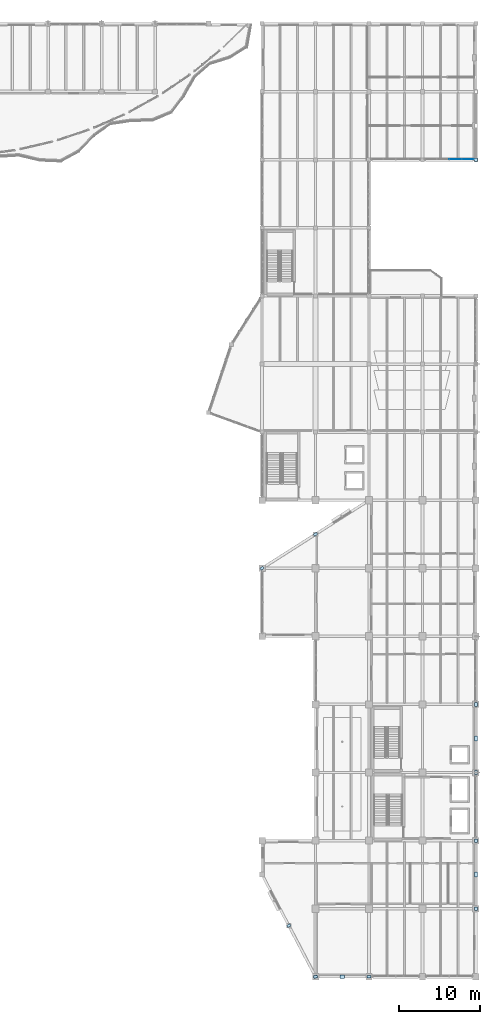
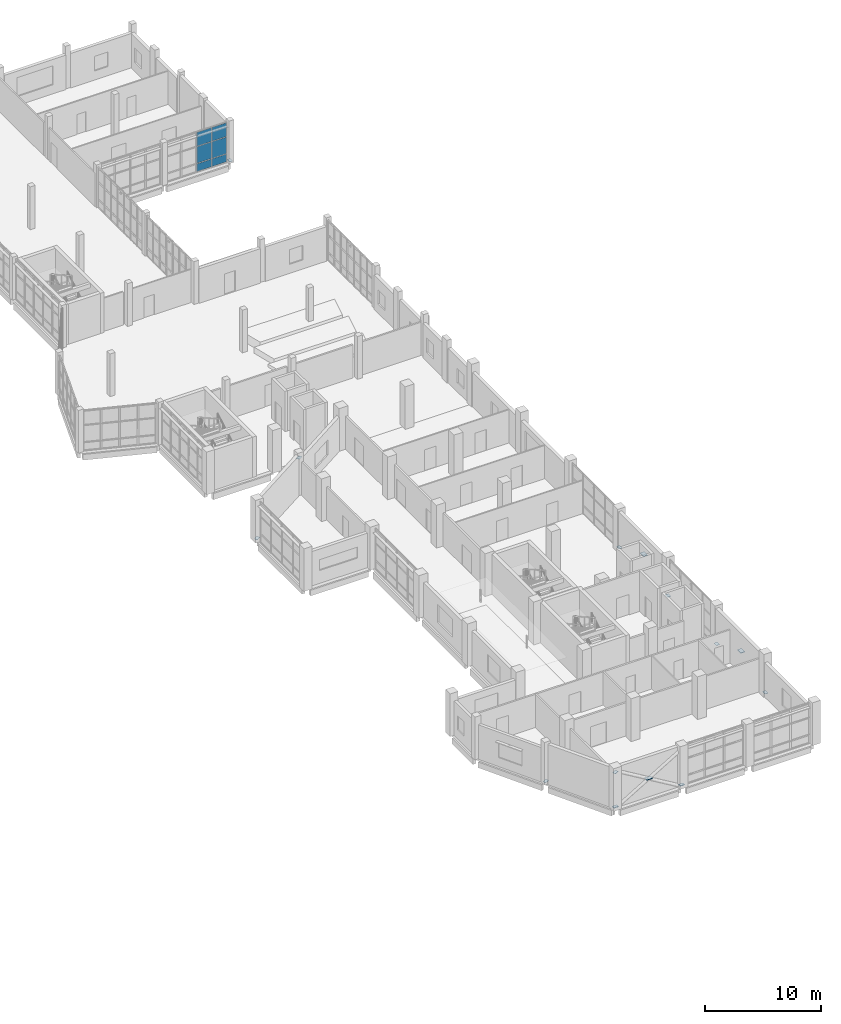
# One storey, part 43 of 76: 20 plates, 1 element without a shape of its own.
"""IFC4 building model written with IfcOpenShell, lengths in metres."""

import ifcopenshell
import ifcopenshell.guid

model = None  # the IFC model being written
_history = None  # IfcOwnerHistory: only IFC2X3 demands one
_inside = {}  # id of a spatial element -> (the spatial element, [elements in it])
_under = {}  # id of a project, library or spatial element -> (it, [spatial elements below it])
_declared = {}  # id of a project -> (the project, [libraries it declares])
_typed = {}  # id of a type object -> (the type object, [elements of that type])
_made_of = {}  # id of a material, layer set ... -> (it, [elements and type objects made of it])


def new_model(schema):
    """Start an empty IFC model of exactly this schema.

    Asked for "IFC4X3", IfcOpenShell would pick the latest addendum, in which some entities
    have other attributes; the version numbers below select the first issue.
    IFC2X3 requires an IfcOwnerHistory on every rooted entity: one is made here for all.
    """
    global model, _history
    if schema == "IFC4X3":
        model = ifcopenshell.file(schema_version=(4, 3, 0, 0))
    else:
        model = ifcopenshell.file(schema=schema)
    _inside.clear()
    _under.clear()
    _declared.clear()
    _typed.clear()
    _made_of.clear()
    _history = None
    if model.schema == "IFC2X3":
        org = make("IfcOrganization", Name="unknown")
        user = make(
            "IfcPersonAndOrganization",
            ThePerson=make("IfcPerson", FamilyName="unknown"),
            TheOrganization=org,
        )
        app = make(
            "IfcApplication",
            ApplicationDeveloper=org,
            Version="unknown",
            ApplicationFullName="unknown",
            ApplicationIdentifier="unknown",
        )
        _history = make(
            "IfcOwnerHistory",
            OwningUser=user,
            OwningApplication=app,
            ChangeAction="ADDED",
            CreationDate=0,
        )
    return model


def make(cls, **values):
    """One entity of the class cls with the attributes given. An attribute that is None is left unset."""
    return model.create_entity(
        cls, **{name: value for name, value in values.items() if value is not None}
    )


def rooted(cls, **values):
    """An entity with a GlobalId (a new one), such as an element, a storey or a relation."""
    return make(cls, GlobalId=ifcopenshell.guid.new(), OwnerHistory=_history, **values)


def si_unit(unit_type, name, prefix=None):
    """IfcSIUnit, for example si_unit("LENGTHUNIT", "METRE", prefix="MILLI")."""
    return make("IfcSIUnit", UnitType=unit_type, Prefix=prefix, Name=name)


def assignment(units):
    """IfcUnitAssignment: the units of a project."""
    return None if units is None else make("IfcUnitAssignment", Units=units)


def point(xyz):
    """IfcCartesianPoint."""
    return None if xyz is None else make("IfcCartesianPoint", Coordinates=xyz)


def direction(xyz):
    """IfcDirection."""
    return None if xyz is None else make("IfcDirection", DirectionRatios=xyz)


def frame(location, z_axis=None, x_axis=None):
    """IfcAxis2Placement3D, a coordinate frame: its origin and axes. An axis left out is left unset."""
    return make(
        "IfcAxis2Placement3D",
        Location=point(location),
        Axis=direction(z_axis),
        RefDirection=direction(x_axis),
    )


def frame_2d(location, x_axis=None):
    """IfcAxis2Placement2D, a coordinate frame in the plane: its origin and x axis."""
    return make(
        "IfcAxis2Placement2D", Location=point(location), RefDirection=direction(x_axis)
    )


def origin():
    """The frame at (0, 0, 0) with its axes left unset."""
    return frame((0.0, 0.0, 0.0))


def origin_2d():
    """The frame at (0, 0) in the plane with its x axis left unset."""
    return frame_2d((0.0, 0.0))


def place(relative_to, where):
    """IfcLocalPlacement: puts the frame where relative to a parent placement (None: the world)."""
    return make(
        "IfcLocalPlacement", PlacementRelTo=relative_to, RelativePlacement=where
    )


def context(
    kind, dimensions, precision=None, world=None, true_north=None, identifier=None
):
    """IfcGeometricRepresentationContext, for example the 3D "Model" context."""
    return make(
        "IfcGeometricRepresentationContext",
        ContextIdentifier=identifier,
        ContextType=kind,
        CoordinateSpaceDimension=dimensions,
        Precision=precision,
        WorldCoordinateSystem=world,
        TrueNorth=true_north,
    )


def subcontext(parent, identifier, kind, view, scale=None):
    """IfcGeometricRepresentationSubContext, for example "Body" below "Model"."""
    return make(
        "IfcGeometricRepresentationSubContext",
        ContextIdentifier=identifier,
        ContextType=kind,
        ParentContext=parent,
        TargetScale=scale,
        TargetView=view,
    )


def project(units=None, contexts=None):
    """IfcProject with its units and contexts."""
    return rooted(
        "IfcProject",
        Name="project",
        RepresentationContexts=contexts,
        UnitsInContext=assignment(units),
    )


def spatial(cls, under=None, at=None, **own):
    """A site, building, storey or space (cls), placed at a placement, below another one or the project."""
    s = rooted(cls, ObjectPlacement=at, **own)
    if under is not None:
        _under.setdefault(under.id(), (under, []))[1].append(s)
    return s


def profile(cls, at=None, kind="AREA", **sizes):
    """A parametric profile (cls). Its sizes go by their IFC names, for example OverallWidth=200.0."""
    return make(cls, ProfileType=kind, Position=at, **sizes)


def rectangle(**sizes):
    """IfcRectangleProfileDef."""
    return profile("IfcRectangleProfileDef", **sizes)


def extrude(swept, where, along, depth):
    """IfcExtrudedAreaSolid: the profile swept, set in the frame where, extruded along a direction by depth."""
    return make(
        "IfcExtrudedAreaSolid",
        SweptArea=swept,
        Position=where,
        ExtrudedDirection=direction(along),
        Depth=depth,
    )


def shape(context_of_items, identifier, shape_type, items):
    """IfcShapeRepresentation: the items that make up one representation, for example the "Body"."""
    return make(
        "IfcShapeRepresentation",
        ContextOfItems=context_of_items,
        RepresentationIdentifier=identifier,
        RepresentationType=shape_type,
        Items=items,
    )


def material(Name=None, Category=None):
    """IfcMaterial."""
    return make("IfcMaterial", Name=Name, Category=Category)


def layer(
    of_material, thickness, ventilated=None, Name=None, Category=None, Priority=None
):
    """IfcMaterialLayer: one layer of a wall or slab, of a material (None: an air gap)."""
    return make(
        "IfcMaterialLayer",
        Material=of_material,
        LayerThickness=thickness,
        IsVentilated=ventilated,
        Name=Name,
        Category=Category,
        Priority=Priority,
    )


def layer_set(layers, Name=None):
    """IfcMaterialLayerSet."""
    return make("IfcMaterialLayerSet", MaterialLayers=layers, LayerSetName=Name)


def made_of(thing, what):
    """Note that an element or type object is made of a material, layer set ...; save() writes the relation."""
    if what is not None:
        _made_of.setdefault(what.id(), (what, []))[1].append(thing)
    return thing


def type_object(cls, material=None, **own):
    """A type object (cls), such as IfcWallType, which elements share."""
    return made_of(rooted(cls, **own), material)


def element(
    cls,
    number,
    at=None,
    inside=None,
    cuts=None,
    type_object=None,
    material=None,
    context=None,
    identifier="Body",
    shape_type=None,
    held_by="IfcProductDefinitionShape",
    body=None,
    shapes=None,
    **own,
):
    """One element of the class cls, such as IfcWall. Its Tag is "e" and its number.

    at: its placement. inside: the storey or other place that contains it. cuts: it is an
    opening in that element (IfcRelVoidsElement). A single representation is given by context,
    identifier, shape_type and body (its items); several are given by shapes. held_by: the class
    of the entity that holds the representations. save() writes the other relations.
    """
    e = rooted(cls, Tag="e%d" % number, ObjectPlacement=at, **own)
    if body is not None:
        shapes = [shape(context, identifier, shape_type, body)]
    if shapes is not None:
        e.Representation = make(held_by, Representations=shapes)
    if inside is not None:
        _inside.setdefault(inside.id(), (inside, []))[1].append(e)
    if cuts is not None:
        rooted(
            "IfcRelVoidsElement", RelatingBuildingElement=cuts, RelatedOpeningElement=e
        )
    if type_object is not None:
        _typed.setdefault(type_object.id(), (type_object, []))[1].append(e)
    return made_of(e, material)


def aggregate(whole, parts):
    """IfcRelAggregates: a whole, such as a stair, and the parts it consists of."""
    return rooted("IfcRelAggregates", RelatingObject=whole, RelatedObjects=parts)


def save(model, path):
    """Write the relations noted so far, then the file.

    IfcRelAggregates (storeys below a building ...), IfcRelContainedInSpatialStructure (elements
    in a storey), IfcRelDefinesByType, IfcRelAssociatesMaterial and IfcRelDeclares: one each for
    every whole, place, type object, material and project.
    """
    for whole, parts in _under.values():
        aggregate(whole, parts)
    for where, things in _inside.values():
        rooted(
            "IfcRelContainedInSpatialStructure",
            RelatedElements=things,
            RelatingStructure=where,
        )
    for kind, things in _typed.values():
        rooted("IfcRelDefinesByType", RelatedObjects=things, RelatingType=kind)
    for what, things in _made_of.values():
        rooted("IfcRelAssociatesMaterial", RelatedObjects=things, RelatingMaterial=what)
    for by, libraries in _declared.values():
        rooted("IfcRelDeclares", RelatingContext=by, RelatedDefinitions=libraries)
    model.write(path)


model = new_model("IFC4")

# Units and contexts
model_context = context("Model", 3, precision=1e-05, world=origin(), true_north=direction((0.0, 1.0)))
body_context = subcontext(model_context, "Body", "Model", "MODEL_VIEW")
ifc_project = project(units=[si_unit("LENGTHUNIT", "METRE"), si_unit("AREAUNIT", "SQUARE_METRE"), si_unit("VOLUMEUNIT", "CUBIC_METRE"), si_unit("PLANEANGLEUNIT", "RADIAN"), si_unit("MASSUNIT", "GRAM", prefix="KILO")], contexts=[model_context])

# Site, building, storey
site_placement = place(None, origin())
site = spatial("IfcSite", under=ifc_project, at=site_placement, CompositionType="ELEMENT")
building_placement = place(site_placement, origin())
building = spatial("IfcBuilding", under=site, at=building_placement, Name="Qaldarim Faculty of Natural and Applied Sciences", CompositionType="ELEMENT")
storey_placement = place(building_placement, frame((0.0, 0.0, 9.89990234375)))
storey = spatial("IfcBuildingStorey", under=building, at=storey_placement, Name="L02", CompositionType="ELEMENT", Elevation=9.89990234375)

# Plates
ifc_material_1 = material(Name="Structural steel S355", Category="steel")
ifc_layer_1 = layer(ifc_material_1, 0.02001953125)
ifc_layer_set_1 = layer_set([ifc_layer_1], Name="Structural steel S355")
plate_type_1 = type_object("IfcPlateType", Name="GussetPlate-S355-450x320x20", PredefinedType="SHEET", material=ifc_layer_set_1)
for number, where, z_axis, x_axis, name in (
    (1, (158.39990234375, 0.0, 0.14013671875), (0.0, 0.0, 1.0), (1.0, 0.0, 0.0), "South diagrid L02 base gusset BL"),
    (2, (165.0, 0.0, 0.14013671875), (0.0, 0.0, 1.0), (1.0, 0.0, 0.0), "South diagrid L02 base gusset BR"),
    (3, (178.199951171875, 8.39990234375, 0.14013671875), (0.0, 0.0, 1.0), (0.0, 1.0, 0.0), "East diagrid L02 base gusset BL"),
    (4, (178.199951171875, 16.800048828125, 0.14013671875), (0.0, 0.0, 1.0), (0.0, 1.0, 0.0), "East diagrid L02 base gusset BR"),
    (5, (178.199951171875, 25.199951171875, 0.14013671875), (0.0, 0.0, 1.0), (0.0, 1.0, 0.0), "Upper east diagrid L02 base gusset BL"),
    (6, (178.199951171875, 33.60009765625, 0.14013671875), (0.0, 0.0, 1.0), (0.0, 1.0, 0.0), "Upper east diagrid L02 base gusset BR"),
    (7, (178.199951171875, 100.800048828125, 0.14013671875), (0.0, 0.0, 1.0), (0.0, 1.0, 0.0), "Commons east diagrid L02 base gusset BL"),
    (8, (155.10009765625, 6.300048828125, 0.150146484375), (0.0, 0.0, 1.0), (0.882947592859, 0.469471562786, 0.0), "Oblique SW brace base plate L02 2"),
    (9, (158.39990234375, 0.0, 3.77001953125), (0.0, 0.0, 1.0), (0.882947592859, 0.469471562786, 0.0), "Oblique SW brace head plate L02 2"),
    (10, (151.800048828125, 50.39990234375, 0.150146484375), (0.0, 0.0, 1.0), (0.838670567945, 0.544639035015, 0.0), "Oblique NW brace base plate L02"),
    (11, (158.39990234375, 54.60009765625, 3.77001953125), (0.0, 0.0, 1.0), (0.838670567945, 0.544639035015, 0.0), "Oblique NW brace head plate L02"),
):
    element("IfcPlate", number, at=place(storey_placement, frame(where, z_axis=z_axis, x_axis=x_axis)), inside=storey, type_object=plate_type_1, Name=name, PredefinedType="SHEET", context=body_context, shape_type="SweptSolid", body=[
        extrude(rectangle(XDim=0.449951171875, YDim=0.320068359375, at=origin_2d()), origin(), (0.0, 0.0, 1.0), 0.02001953125),
    ])
ifc_layer_2 = layer(ifc_material_1, 0.0400390625)
ifc_layer_set_2 = layer_set([ifc_layer_2], Name="Structural steel S355")
plate_type_2 = type_object("IfcPlateType", Name="NodePlate-S355-600x420x40", PredefinedType="SHEET", material=ifc_layer_set_2)
for number, where, z_axis, x_axis, name in (
    (12, (161.699951171875, 0.0, 1.9501953125), (0.0, 0.0, 1.0), (1.0, 0.0, 0.0), "South diagrid L02 X-crossing gusset plate"),
    (13, (178.199951171875, 12.60009765625, 1.9501953125), (0.0, 0.0, 1.0), (0.0, 1.0, 0.0), "East diagrid L02 X-crossing gusset plate"),
    (14, (178.199951171875, 29.39990234375, 1.9501953125), (0.0, 0.0, 1.0), (0.0, 1.0, 0.0), "Upper east diagrid L02 X-crossing gusset plate"),
):
    element("IfcPlate", number, at=place(storey_placement, frame(where, z_axis=z_axis, x_axis=x_axis)), inside=storey, type_object=plate_type_2, Name=name, PredefinedType="SHEET", context=body_context, shape_type="SweptSolid", body=[
        extrude(rectangle(XDim=0.60009765625, YDim=0.419921875, at=origin_2d()), origin(), (0.0, 0.0, 1.0), 0.0400390625),
    ])

# Curtain wall, plates
ifc_material_2 = material(Name="Anodised aluminium AW-6063", Category="aluminium")
curtain_wall_type = type_object("IfcCurtainWallType", Name="CurtainWallSystem-M1600", PredefinedType="USERDEFINED", material=ifc_material_2)
curtain_wall_placement = place(storey_placement, origin())
curtain_wall = element("IfcCurtainWall", 15, at=curtain_wall_placement, inside=storey, type_object=curtain_wall_type, Name="Curtain wall CW-L02-S-X27Y13", ObjectType="UNITISED FACADE", PredefinedType="USERDEFINED")
ifc_material_3 = material(Name="Insulated low-e double glazing", Category="glass")
ifc_layer_3 = layer(ifc_material_3, 0.028076171875)
ifc_layer_set_3 = layer_set([ifc_layer_3], Name="Insulated low-e double glazing")
plate_type_3 = type_object("IfcPlateType", Name="VisionGlazingPanel-28", PredefinedType="CURTAIN_PANEL", material=ifc_layer_set_3)
plate_1_placement = place(storey_placement, frame((175.663818359375, 100.8798828125, 0.06005859375), z_axis=(0.0, 0.0, 1.0), x_axis=(1.0, 0.0, 0.0)))
plate_1 = element("IfcPlate", 16, at=plate_1_placement, type_object=plate_type_3, Name="Glazed panel 3-1 of CW-L02-S-X27Y13", PredefinedType="CURTAIN_PANEL", context=body_context, shape_type="SweptSolid", body=[
    extrude(rectangle(XDim=1.467529296875, YDim=0.028076171875, at=origin_2d()), origin(), (0.0, 0.0, 1.0), 0.81005859375),
])
plate_2_placement = place(storey_placement, frame((175.663818359375, 100.8798828125, 0.93017578125), z_axis=(0.0, 0.0, 1.0), x_axis=(1.0, 0.0, 0.0)))
plate_2 = element("IfcPlate", 17, at=plate_2_placement, type_object=plate_type_3, Name="Glazed panel 3-2 of CW-L02-S-X27Y13", PredefinedType="CURTAIN_PANEL", context=body_context, shape_type="SweptSolid", body=[
    extrude(rectangle(XDim=1.467529296875, YDim=0.028076171875, at=origin_2d()), origin(), (0.0, 0.0, 1.0), 1.739990234375),
])
plate_3_placement = place(storey_placement, frame((175.663818359375, 100.8798828125, 2.72998046875), z_axis=(0.0, 0.0, 1.0), x_axis=(1.0, 0.0, 0.0)))
plate_3 = element("IfcPlate", 18, at=plate_3_placement, type_object=plate_type_3, Name="Glazed panel 3-3 of CW-L02-S-X27Y13", PredefinedType="CURTAIN_PANEL", context=body_context, shape_type="SweptSolid", body=[
    extrude(rectangle(XDim=1.467529296875, YDim=0.028076171875, at=origin_2d()), origin(), (0.0, 0.0, 1.0), 1.449951171875),
])
plate_4_placement = place(storey_placement, frame((177.17626953125, 100.8798828125, 0.06005859375), z_axis=(0.0, 0.0, 1.0), x_axis=(1.0, 0.0, 0.0)))
plate_4 = element("IfcPlate", 19, at=plate_4_placement, type_object=plate_type_3, Name="Glazed panel 4-1 of CW-L02-S-X27Y13", PredefinedType="CURTAIN_PANEL", context=body_context, shape_type="SweptSolid", body=[
    extrude(rectangle(XDim=1.4375, YDim=0.028076171875, at=origin_2d()), origin(), (0.0, 0.0, 1.0), 0.81005859375),
])
plate_5_placement = place(storey_placement, frame((177.17626953125, 100.8798828125, 0.93017578125), z_axis=(0.0, 0.0, 1.0), x_axis=(1.0, 0.0, 0.0)))
plate_5 = element("IfcPlate", 20, at=plate_5_placement, type_object=plate_type_3, Name="Glazed panel 4-2 of CW-L02-S-X27Y13", PredefinedType="CURTAIN_PANEL", context=body_context, shape_type="SweptSolid", body=[
    extrude(rectangle(XDim=1.4375, YDim=0.028076171875, at=origin_2d()), origin(), (0.0, 0.0, 1.0), 1.739990234375),
])
plate_6_placement = place(storey_placement, frame((177.17626953125, 100.8798828125, 2.72998046875), z_axis=(0.0, 0.0, 1.0), x_axis=(1.0, 0.0, 0.0)))
plate_6 = element("IfcPlate", 21, at=plate_6_placement, type_object=plate_type_3, Name="Glazed panel 4-3 of CW-L02-S-X27Y13", PredefinedType="CURTAIN_PANEL", context=body_context, shape_type="SweptSolid", body=[
    extrude(rectangle(XDim=1.4375, YDim=0.028076171875, at=origin_2d()), origin(), (0.0, 0.0, 1.0), 1.449951171875),
])
aggregate(curtain_wall, [plate_1, plate_2, plate_3, plate_4, plate_5, plate_6])

save(model, "model.ifc")
